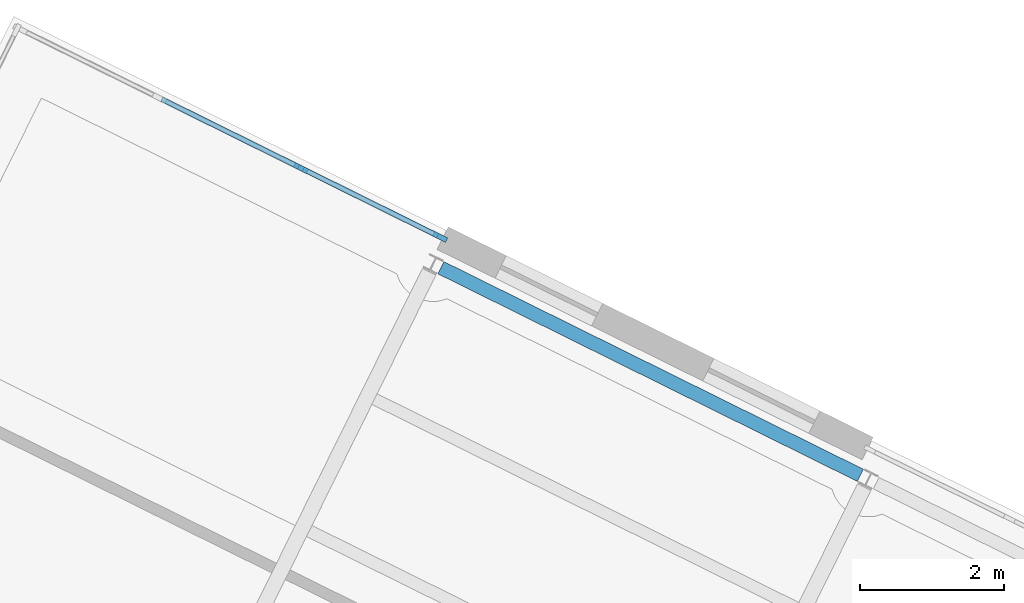
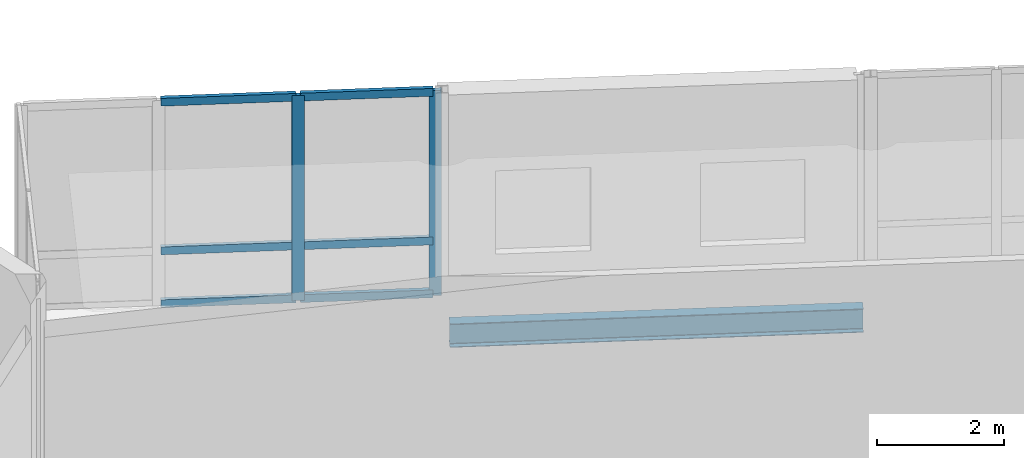
# One storey, part 68 of 125: 8 members, 1 beam, 1 element without a shape of its own.
"""IFC4 building model written with IfcOpenShell, lengths in metres."""

from ifc_helpers import new_model, si_unit, direction, frame, origin, origin_2d, place, context, subcontext, project, spatial, rectangle, i_section, extrude, material, material_profile, profile_set, type_object, element, aggregate, save


model = new_model("IFC4")

# Units and contexts
model_context = context("Model", 3, precision=1e-05, world=origin(), true_north=direction((0.0, 1.0)))
body_context = subcontext(model_context, "Body", "Model", "MODEL_VIEW")
ifc_project = project(units=[si_unit("LENGTHUNIT", "METRE"), si_unit("AREAUNIT", "SQUARE_METRE"), si_unit("VOLUMEUNIT", "CUBIC_METRE"), si_unit("PLANEANGLEUNIT", "RADIAN"), si_unit("MASSUNIT", "GRAM", prefix="KILO")], contexts=[model_context])

# Site, building, storey
site_placement = place(None, origin())
site = spatial("IfcSite", under=ifc_project, at=site_placement, CompositionType="ELEMENT")
building_placement = place(site_placement, origin())
building = spatial("IfcBuilding", under=site, at=building_placement, Name="Wrenclough Park School", CompositionType="ELEMENT")
storey_placement = place(building_placement, frame((0.0, 0.0, 4.199951171875)))
storey = spatial("IfcBuildingStorey", under=building, at=storey_placement, Name="L01", CompositionType="ELEMENT", Elevation=4.199951171875)

# Curtain wall, members
ifc_material_1 = material(Name="Thermally broken aluminium and low-e glass curtain wall", Category="aluminium")
curtain_wall_type = type_object("IfcCurtainWallType", Name="ENV-CW-15", PredefinedType="USERDEFINED", material=ifc_material_1)
curtain_wall_placement = place(storey_placement, origin())
curtain_wall = element("IfcCurtainWall", 1, at=curtain_wall_placement, inside=storey, type_object=curtain_wall_type, Name="L01 recessed curtain wall assembly 110", ObjectType="CURTAIN WALL", PredefinedType="USERDEFINED")
ifc_material_2 = material(Name="Thermally broken anodised aluminium", Category="aluminium")
ifc_material_profile_1 = material_profile(ifc_material_2, rectangle(XDim=0.070068359375, YDim=0.199951171875, at=origin_2d()), Name="AL MULLION 70x200")
ifc_profile_set_1 = profile_set([ifc_material_profile_1], Name="Thermally broken anodised aluminium")
member_type_1 = type_object("IfcMemberType", Name="ENV-CWM-3", PredefinedType="MULLION", material=ifc_profile_set_1)
member_1_placement = place(storey_placement, frame((132.0400390625, 119.509521484375, 0.0), z_axis=(0.0, 0.0, 1.0), x_axis=(0.443511318294, 0.896268771377, 0.0)))
member_1 = element("IfcMember", 2, at=member_1_placement, type_object=member_type_1, Name="CW-15 mullion 3", PredefinedType="MULLION", context=body_context, shape_type="SweptSolid", body=[
    extrude(rectangle(XDim=0.070068359375, YDim=0.199951171875, at=origin_2d()), origin(), (0.0, 0.0, 1.0), 3.93994140625),
])
member_2_placement = place(storey_placement, frame((133.979736328125, 118.5498046875, 0.0), z_axis=(0.0, 0.0, 1.0), x_axis=(0.443511318294, 0.896268771377, 0.0)))
member_2 = element("IfcMember", 3, at=member_2_placement, type_object=member_type_1, Name="CW-15 mullion 4", PredefinedType="MULLION", context=body_context, shape_type="SweptSolid", body=[
    extrude(rectangle(XDim=0.070068359375, YDim=0.199951171875, at=origin_2d()), origin(), (0.0, 0.0, 1.0), 3.93994140625),
])
ifc_material_profile_2 = material_profile(ifc_material_2, rectangle(XDim=0.070068359375, YDim=0.14990234375, at=origin_2d()), Name="AL TRANSOM 70x150")
ifc_profile_set_2 = profile_set([ifc_material_profile_2], Name="Thermally broken anodised aluminium")
member_type_2 = type_object("IfcMemberType", Name="ENV-CWT-3", PredefinedType="USERDEFINED", material=ifc_profile_set_2)
member_3_placement = place(storey_placement, frame((130.1005859375, 120.46923828125, 0.03515625), z_axis=(0.896299952489, -0.443448300445, 0.0), x_axis=(0.443448300445, 0.896299952489, 0.0)))
member_3 = element("IfcMember", 4, at=member_3_placement, type_object=member_type_2, Name="CW-15 transom 2.1", ObjectType="TRANSOM", PredefinedType="USERDEFINED", context=body_context, shape_type="SweptSolid", body=[
    extrude(rectangle(XDim=0.070068359375, YDim=0.14990234375, at=origin_2d()), origin(), (0.0, 0.0, 1.0), 2.12890625),
])
member_4_placement = place(storey_placement, frame((130.1005859375, 120.46923828125, 1.050048828125), z_axis=(0.896299952489, -0.443448300445, 0.0), x_axis=(0.443448300445, 0.896299952489, 0.0)))
member_4 = element("IfcMember", 5, at=member_4_placement, type_object=member_type_2, Name="CW-15 transom 2.2", ObjectType="TRANSOM", PredefinedType="USERDEFINED", context=body_context, shape_type="SweptSolid", body=[
    extrude(rectangle(XDim=0.070068359375, YDim=0.14990234375, at=origin_2d()), origin(), (0.0, 0.0, 1.0), 2.12890625),
])
member_5_placement = place(storey_placement, frame((130.1005859375, 120.46923828125, 3.905029296875), z_axis=(0.896299952489, -0.443448300445, 0.0), x_axis=(0.443448300445, 0.896299952489, 0.0)))
member_5 = element("IfcMember", 6, at=member_5_placement, type_object=member_type_2, Name="CW-15 transom 2.3", ObjectType="TRANSOM", PredefinedType="USERDEFINED", context=body_context, shape_type="SweptSolid", body=[
    extrude(rectangle(XDim=0.070068359375, YDim=0.14990234375, at=origin_2d()), origin(), (0.0, 0.0, 1.0), 2.12890625),
])
member_6_placement = place(storey_placement, frame((132.071533203125, 119.493896484375, 0.03515625), z_axis=(0.896261795322, -0.443525415559, 0.0), x_axis=(0.443525415559, 0.896261795322, 0.0)))
member_6 = element("IfcMember", 7, at=member_6_placement, type_object=member_type_2, Name="CW-15 transom 3.1", ObjectType="TRANSOM", PredefinedType="USERDEFINED", context=body_context, shape_type="SweptSolid", body=[
    extrude(rectangle(XDim=0.070068359375, YDim=0.14990234375, at=origin_2d()), origin(), (0.0, 0.0, 1.0), 2.093994140625),
])
member_7_placement = place(storey_placement, frame((132.071533203125, 119.493896484375, 1.050048828125), z_axis=(0.896261795322, -0.443525415559, 0.0), x_axis=(0.443525415559, 0.896261795322, 0.0)))
member_7 = element("IfcMember", 8, at=member_7_placement, type_object=member_type_2, Name="CW-15 transom 3.2", ObjectType="TRANSOM", PredefinedType="USERDEFINED", context=body_context, shape_type="SweptSolid", body=[
    extrude(rectangle(XDim=0.070068359375, YDim=0.14990234375, at=origin_2d()), origin(), (0.0, 0.0, 1.0), 2.093994140625),
])
member_8_placement = place(storey_placement, frame((132.071533203125, 119.493896484375, 3.905029296875), z_axis=(0.896261795322, -0.443525415559, 0.0), x_axis=(0.443525415559, 0.896261795322, 0.0)))
member_8 = element("IfcMember", 9, at=member_8_placement, type_object=member_type_2, Name="CW-15 transom 3.3", ObjectType="TRANSOM", PredefinedType="USERDEFINED", context=body_context, shape_type="SweptSolid", body=[
    extrude(rectangle(XDim=0.070068359375, YDim=0.14990234375, at=origin_2d()), origin(), (0.0, 0.0, 1.0), 2.093994140625),
])
aggregate(curtain_wall, [member_1, member_2, member_3, member_4, member_5, member_6, member_7, member_8])

# Beam
ifc_material_3 = material(Name="Structural steel S355", Category="steel")
ifc_material_profile_3 = material_profile(ifc_material_3, i_section(OverallWidth=0.18994140625, OverallDepth=0.453369140625, WebThickness=0.008544921875, FlangeThickness=0.0126953125, FilletRadius=0.01025390625, at=origin_2d()), Name="UKB 457x191x67")
ifc_profile_set_3 = profile_set([ifc_material_profile_3], Name="Structural steel S355")
beam_type = type_object("IfcBeamType", Name="STR-BM-UKB457A", PredefinedType="BEAM", material=ifc_profile_set_3)
beam_placement = place(storey_placement, frame((133.990478515625, 118.12060546875, -0.4765625), z_axis=(0.896269370502, -0.443510107551, 0.0), x_axis=(0.443510107551, 0.896269370502, 0.0)))
element("IfcBeam", 10, at=beam_placement, inside=storey, type_object=beam_type, Name="W45 L01 longitudinal edge beam L1", PredefinedType="BEAM", context=body_context, shape_type="SweptSolid", body=[
    extrude(i_section(OverallWidth=0.18994140625, OverallDepth=0.453369140625, WebThickness=0.008544921875, FlangeThickness=0.0126953125, FilletRadius=0.01025390625, at=origin_2d()), origin(), (0.0, 0.0, 1.0), 6.519775390625),
])

save(model, "model.ifc")
